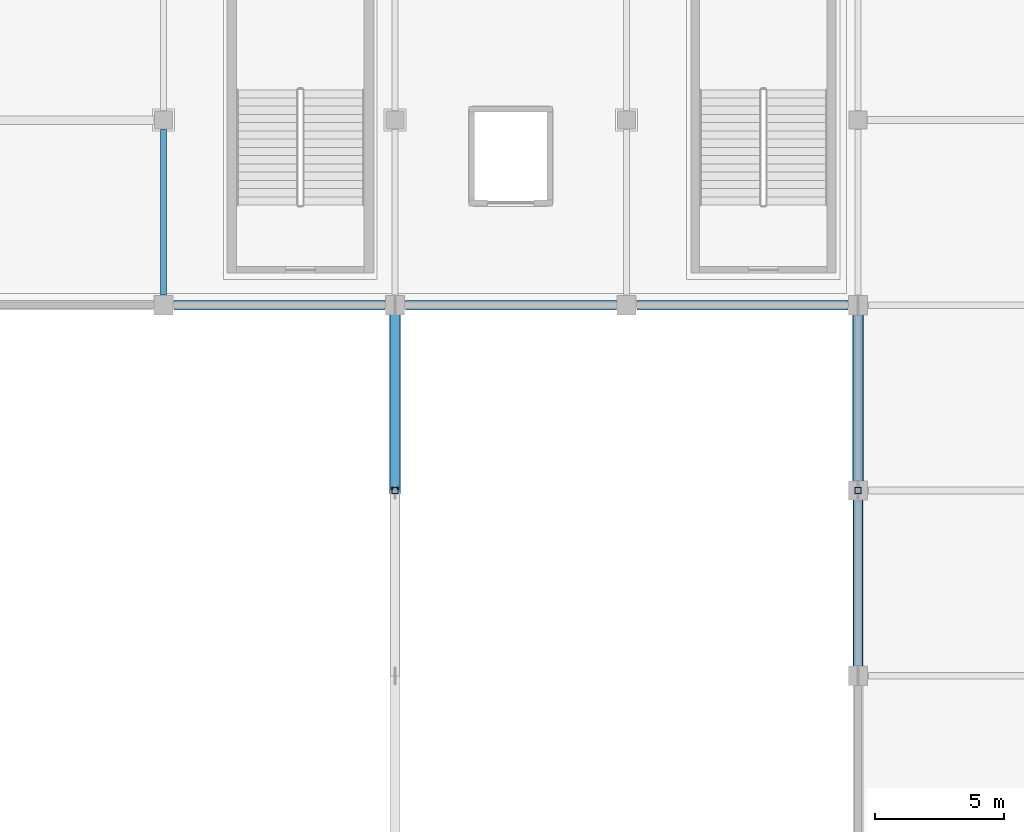
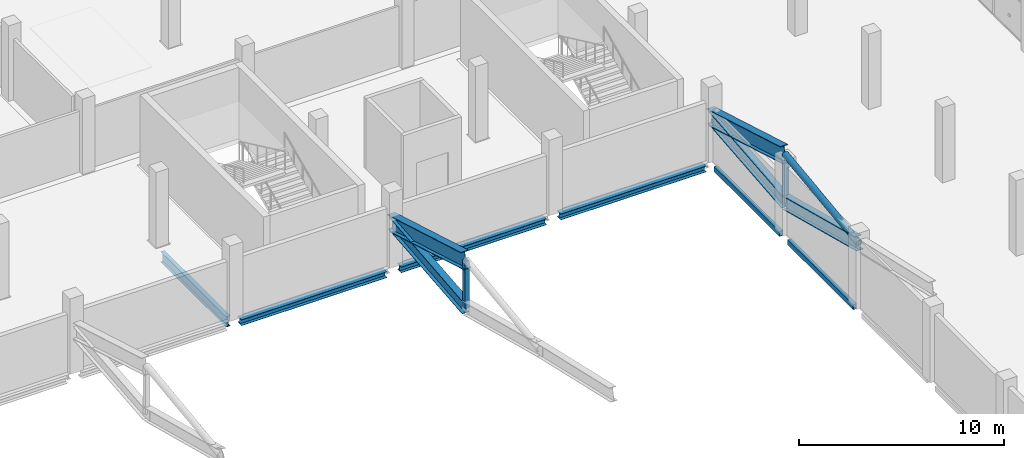
# One storey, part 31 of 151: 8 members, 6 beams.
"""IFC4 building model written with IfcOpenShell, lengths in metres."""

from ifc_helpers import new_model, si_unit, direction, frame, origin, origin_2d, place, context, subcontext, project, spatial, hollow_rectangle, hollow_circle, i_section, extrude, material, material_profile, profile_set, type_object, element, save


model = new_model("IFC4")

# Units and contexts
model_context = context("Model", 3, precision=1e-05, world=origin(), true_north=direction((0.0, 1.0)))
body_context = subcontext(model_context, "Body", "Model", "MODEL_VIEW")
ifc_project = project(units=[si_unit("LENGTHUNIT", "METRE"), si_unit("AREAUNIT", "SQUARE_METRE"), si_unit("VOLUMEUNIT", "CUBIC_METRE"), si_unit("PLANEANGLEUNIT", "RADIAN"), si_unit("MASSUNIT", "GRAM", prefix="KILO")], contexts=[model_context])

# Site, building, storey
site_placement = place(None, origin())
site = spatial("IfcSite", under=ifc_project, at=site_placement, CompositionType="ELEMENT")
building_placement = place(site_placement, origin())
building = spatial("IfcBuilding", under=site, at=building_placement, Name="Celestram Park Convention Centre", CompositionType="ELEMENT")
storey_placement = place(building_placement, frame((0.0, 0.0, 10.800048828125)))
storey = spatial("IfcBuildingStorey", under=building, at=storey_placement, Name="L02", CompositionType="ELEMENT", Elevation=10.800048828125)

# Beam
ifc_material_1 = material(Name="Steel ASTM A992 Grade 50", Category="steel")
ifc_material_profile_1 = material_profile(ifc_material_1, i_section(OverallWidth=0.22900390625, OverallDepth=0.612060546875, WebThickness=0.011962890625, FlangeThickness=0.01953125, at=origin_2d()), Name="W24X84")
ifc_profile_set_1 = profile_set([ifc_material_profile_1], Name="Steel ASTM A992 Grade 50")
beam_type_1 = type_object("IfcBeamType", Name="STR-BM-W24X84", PredefinedType="BEAM", material=ifc_profile_set_1)
beam_placement = place(storey_placement, frame((99.0, 108.39794921875, -0.5859375), z_axis=(0.0, 1.0, 0.0), x_axis=(-1.0, 0.0, 0.0)))
element("IfcBeam", 1, at=beam_placement, inside=storey, type_object=beam_type_1, Name="Primary Y-girder BG-L02-0111", PredefinedType="BEAM", context=body_context, shape_type="SweptSolid", body=[
    extrude(i_section(OverallWidth=0.22900390625, OverallDepth=0.612060546875, WebThickness=0.011962890625, FlangeThickness=0.01953125, at=origin_2d()), origin(), (0.0, 0.0, 1.0), 6.428955078125),
])

# Members
ifc_material_2 = material(Name="Steel ASTM A500 Grade C", Category="steel")
ifc_material_profile_2 = material_profile(ifc_material_2, hollow_circle(Radius=0.177978515625, WallThickness=0.011962890625, at=origin_2d()), Name="CHS356X12")
ifc_profile_set_2 = profile_set([ifc_material_profile_2], Name="Steel ASTM A500 Grade C")
member_type_1 = type_object("IfcMemberType", Name="STR-BRC-CHS356", PredefinedType="BRACE", material=ifc_profile_set_2)
member_1_placement = place(storey_placement, frame((126.0, 93.60009765625, 3.615234375), z_axis=(0.0, 0.991906664472, 0.126969165453), x_axis=(-1.0, 0.0, 0.0)))
element("IfcMember", 2, at=member_1_placement, inside=storey, type_object=member_type_1, Name="V1 arch web diagonal", PredefinedType="BRACE", context=body_context, shape_type="SweptSolid", body=[
    extrude(hollow_circle(Radius=0.177978515625, WallThickness=0.011962890625, at=origin_2d()), origin(), (0.0, 0.0, 1.0), 7.2587890625),
])
ifc_material_profile_3 = material_profile(ifc_material_1, i_section(OverallWidth=0.381103515625, OverallDepth=0.77197265625, WebThickness=0.0166015625, FlangeThickness=0.027099609375, at=origin_2d()), Name="W30X173")
ifc_profile_set_3 = profile_set([ifc_material_profile_3], Name="Steel ASTM A992 Grade 50")
member_type_2 = type_object("IfcMemberType", Name="STR-CHD-W30X173", PredefinedType="CHORD", material=ifc_profile_set_3)
member_2_placement = place(storey_placement, frame((108.0, 100.800048828125, 1.73681640625), z_axis=(0.0, 0.995417621099, 0.095623007717), x_axis=(-1.0, 0.0, 0.0)))
element("IfcMember", 3, at=member_2_placement, inside=storey, type_object=member_type_2, Name="V1 arch bottom chord", PredefinedType="CHORD", context=body_context, shape_type="SweptSolid", body=[
    extrude(i_section(OverallWidth=0.381103515625, OverallDepth=0.77197265625, WebThickness=0.0166015625, FlangeThickness=0.027099609375, at=origin_2d()), origin(), (0.0, 0.0, 1.0), 7.233154296875),
])
member_3_placement = place(storey_placement, frame((126.0, 93.60009765625, 3.615234375), z_axis=(0.0, 0.967611697295, -0.252443267403), x_axis=(-1.0, 0.0, 0.0)))
element("IfcMember", 4, at=member_3_placement, inside=storey, type_object=member_type_2, Name="V1 arch bottom chord", PredefinedType="CHORD", context=body_context, shape_type="SweptSolid", body=[
    extrude(i_section(OverallWidth=0.381103515625, OverallDepth=0.77197265625, WebThickness=0.0166015625, FlangeThickness=0.027099609375, at=origin_2d()), origin(), (0.0, 0.0, 1.0), 7.44091796875),
])
member_4_placement = place(storey_placement, frame((126.0, 100.800048828125, 1.73681640625), z_axis=(0.0, 0.995417621099, 0.095623007717), x_axis=(-1.0, 0.0, 0.0)))
element("IfcMember", 5, at=member_4_placement, inside=storey, type_object=member_type_2, Name="V1 arch bottom chord", PredefinedType="CHORD", context=body_context, shape_type="SweptSolid", body=[
    extrude(i_section(OverallWidth=0.381103515625, OverallDepth=0.77197265625, WebThickness=0.0166015625, FlangeThickness=0.027099609375, at=origin_2d()), origin(), (0.0, 0.0, 1.0), 7.233154296875),
])
ifc_material_profile_4 = material_profile(ifc_material_1, i_section(OverallWidth=0.4189453125, OverallDepth=0.927001953125, WebThickness=0.019287109375, FlangeThickness=0.031982421875, at=origin_2d()), Name="W36X231")
ifc_profile_set_4 = profile_set([ifc_material_profile_4], Name="Steel ASTM A992 Grade 50")
member_type_3 = type_object("IfcMemberType", Name="STR-CHD-W36X231", PredefinedType="CHORD", material=ifc_profile_set_4)
for number, where, z_axis, x_axis, name in (
    (6, (108.0, 100.800048828125, 4.536865234375), (0.0, 0.959698026141, -0.281033269599), (-1.0, 0.0, 0.0), "V1 arch top chord"),
    (7, (126.0, 100.800048828125, 4.536865234375), (0.0, 0.959698026141, -0.281033269599), (-1.0, 0.0, 0.0), "V1 arch top chord"),
):
    element("IfcMember", number, at=place(storey_placement, frame(where, z_axis=z_axis, x_axis=x_axis)), inside=storey, type_object=member_type_3, Name=name, PredefinedType="CHORD", context=body_context, shape_type="SweptSolid", body=[
        extrude(i_section(OverallWidth=0.4189453125, OverallDepth=0.927001953125, WebThickness=0.019287109375, FlangeThickness=0.031982421875, at=origin_2d()), origin(), (0.0, 0.0, 1.0), 7.502197265625),
    ])

# Beams
ifc_material_profile_5 = material_profile(ifc_material_2, hollow_rectangle(XDim=0.199951171875, YDim=0.300048828125, WallThickness=0.011962890625, at=origin_2d()), Name="HSS300X200X12")
ifc_profile_set_5 = profile_set([ifc_material_profile_5], Name="Steel ASTM A500 Grade C")
beam_type_2 = type_object("IfcBeamType", Name="STR-SPN-HSS300X200", PredefinedType="SPANDREL", material=ifc_profile_set_5)
for number, where, z_axis, x_axis, name in (
    (8, (126.0, 93.998046875, -0.429931640625), (0.0, 1.0, 0.0), (-1.0, 0.0, 0.0), "Primary Y-girder BG-L02-0176"),
    (9, (126.0, 101.197998046875, -0.429931640625), (0.0, 1.0, 0.0), (-1.0, 0.0, 0.0), "Primary Y-girder BG-L02-0178"),
):
    element("IfcBeam", number, at=place(storey_placement, frame(where, z_axis=z_axis, x_axis=x_axis)), inside=storey, type_object=beam_type_2, Name=name, PredefinedType="SPANDREL", context=body_context, shape_type="SweptSolid", body=[
        extrude(hollow_rectangle(XDim=0.199951171875, YDim=0.300048828125, WallThickness=0.011962890625, at=origin_2d()), origin(), (0.0, 0.0, 1.0), 6.404052734375),
    ])
ifc_material_profile_6 = material_profile(ifc_material_1, i_section(OverallWidth=0.367919921875, OverallDepth=0.35595703125, WebThickness=0.01123046875, FlangeThickness=0.01806640625, at=origin_2d()), Name="W14X90")
ifc_profile_set_6 = profile_set([ifc_material_profile_6], Name="Steel ASTM A992 Grade 50")
beam_type_3 = type_object("IfcBeamType", Name="STR-SPN-W14X90", PredefinedType="SPANDREL", material=ifc_profile_set_6)
for number, where, z_axis, x_axis, name in (
    (10, (99.39794921875, 108.0, -0.4580078125), (1.0, 0.0, 0.0), (0.0, 1.0, 0.0), "Primary X-girder BG-L02-0110"),
    (11, (108.39794921875, 108.0, -0.4580078125), (1.0, 0.0, 0.0), (0.0, 1.0, 0.0), "Primary X-girder BG-L02-0126"),
    (12, (117.39794921875, 108.0, -0.4580078125), (1.0, 0.0, 0.0), (0.0, 1.0, 0.0), "Primary X-girder BG-L02-0140"),
):
    element("IfcBeam", number, at=place(storey_placement, frame(where, z_axis=z_axis, x_axis=x_axis)), inside=storey, type_object=beam_type_3, Name=name, PredefinedType="SPANDREL", context=body_context, shape_type="SweptSolid", body=[
        extrude(i_section(OverallWidth=0.367919921875, OverallDepth=0.35595703125, WebThickness=0.01123046875, FlangeThickness=0.01806640625, at=origin_2d()), origin(), (0.0, 0.0, 1.0), 8.2041015625),
    ])

# Members
ifc_material_profile_7 = material_profile(ifc_material_2, hollow_rectangle(XDim=0.25, YDim=0.25, WallThickness=0.011962890625, at=origin_2d()), Name="HSS250X250X12")
ifc_profile_set_7 = profile_set([ifc_material_profile_7], Name="Steel ASTM A500 Grade C")
member_type_4 = type_object("IfcMemberType", Name="STR-STR-HSS250", PredefinedType="STRUT", material=ifc_profile_set_7)
for number, where, z_axis, x_axis, name in (
    (13, (108.0, 100.800048828125, 1.73681640625), (0.0, 0.0, 1.0), (1.0, 0.0, 0.0), "V1 arch vertical strut"),
    (14, (126.0, 100.800048828125, 1.73681640625), (0.0, 0.0, 1.0), (1.0, 0.0, 0.0), "V1 arch vertical strut"),
):
    element("IfcMember", number, at=place(storey_placement, frame(where, z_axis=z_axis, x_axis=x_axis)), inside=storey, type_object=member_type_4, Name=name, PredefinedType="STRUT", context=body_context, shape_type="SweptSolid", body=[
        extrude(hollow_rectangle(XDim=0.25, YDim=0.25, WallThickness=0.011962890625, at=origin_2d()), origin(), (0.0, 0.0, 1.0), 2.800048828125),
    ])

save(model, "model.ifc")
